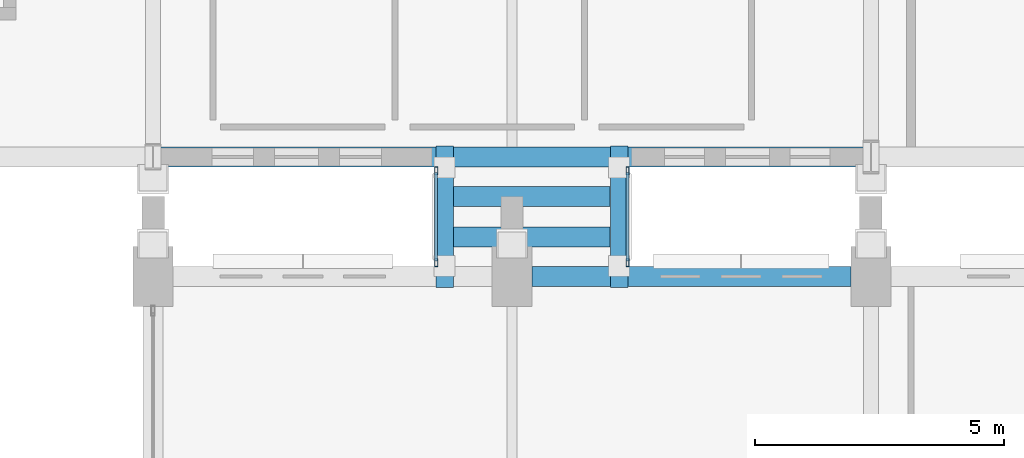
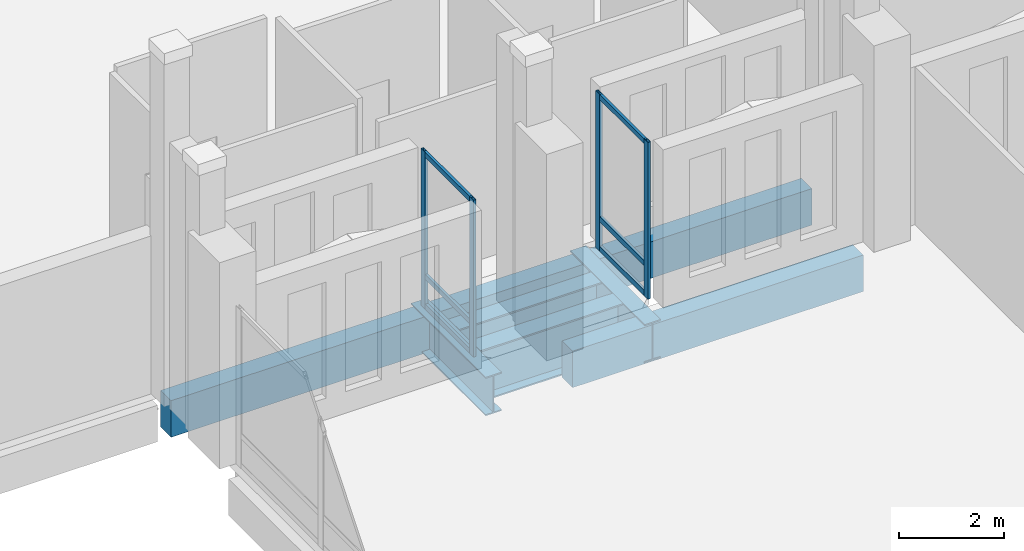
# One storey, part 87 of 193: 10 members, 6 beams, 2 elements without a shape of their own.
"""IFC4 building model written with IfcOpenShell, lengths in metres."""

from ifc_helpers import new_model, si_unit, direction, frame, origin, origin_2d, place, context, subcontext, project, spatial, rectangle, hollow_rectangle, i_section, extrude, material, material_profile, profile_set, type_object, element, aggregate, save


model = new_model("IFC4")

# Units and contexts
model_context = context("Model", 3, precision=1e-05, world=origin(), true_north=direction((0.0, 1.0)))
body_context = subcontext(model_context, "Body", "Model", "MODEL_VIEW")
ifc_project = project(units=[si_unit("LENGTHUNIT", "METRE"), si_unit("AREAUNIT", "SQUARE_METRE"), si_unit("VOLUMEUNIT", "CUBIC_METRE"), si_unit("PLANEANGLEUNIT", "RADIAN"), si_unit("MASSUNIT", "GRAM", prefix="KILO")], contexts=[model_context])

# Site, building, storey
site_placement = place(None, origin())
site = spatial("IfcSite", under=ifc_project, at=site_placement, CompositionType="ELEMENT")
building_placement = place(site_placement, origin())
building = spatial("IfcBuilding", under=site, at=building_placement, Name="Cendralis Lancet Convention Centre", CompositionType="ELEMENT")
storey_placement = place(building_placement, frame((0.0, 0.0, 10.199951171875)))
storey = spatial("IfcBuildingStorey", under=building, at=storey_placement, Name="L02", CompositionType="ELEMENT", Elevation=10.199951171875)

# Curtain wall, members
ifc_material_1 = material(Name="Anodised bronze architectural aluminium", Category="aluminium")
curtain_wall_type = type_object("IfcCurtainWallType", Name="ARC-CW-BR01", PredefinedType="USERDEFINED", material=ifc_material_1)
curtain_wall_1_placement = place(storey_placement, origin())
curtain_wall_1 = element("IfcCurtainWall", 1, at=curtain_wall_1_placement, inside=storey, type_object=curtain_wall_type, Name="L02 Curtain Wall CW-BR1 #199", ObjectType="CURTAIN WALL", PredefinedType="USERDEFINED")
ifc_material_profile_1 = material_profile(ifc_material_1, hollow_rectangle(XDim=0.06005859375, YDim=0.159912109375, WallThickness=0.00390625, at=origin_2d()), Name="AL-MULL 60x160x4.0")
ifc_profile_set_1 = profile_set([ifc_material_profile_1], Name="Anodised bronze architectural aluminium")
member_type_1 = type_object("IfcMemberType", Name="ARC-CW-ML01", PredefinedType="MULLION", material=ifc_profile_set_1)
member_1_placement = place(storey_placement, frame((144.8798828125, 91.47998046875, 0.0), z_axis=(0.0, 0.0, 1.0), x_axis=(1.0, 0.0, 0.0)))
member_1 = element("IfcMember", 2, at=member_1_placement, type_object=member_type_1, Name="Mullion CW2-CW-BR1-L02-199-M0", PredefinedType="MULLION", context=body_context, shape_type="SweptSolid", body=[
    extrude(hollow_rectangle(XDim=0.06005859375, YDim=0.159912109375, WallThickness=0.00390625, at=origin_2d()), origin(), (0.0, 0.0, 1.0), 3.650146484375),
])
member_2_placement = place(storey_placement, frame((144.8798828125, 93.320068359375, 0.0), z_axis=(0.0, 0.0, 1.0), x_axis=(1.0, 0.0, 0.0)))
member_2 = element("IfcMember", 3, at=member_2_placement, type_object=member_type_1, Name="Mullion CW2-CW-BR1-L02-199-M1", PredefinedType="MULLION", context=body_context, shape_type="SweptSolid", body=[
    extrude(hollow_rectangle(XDim=0.06005859375, YDim=0.159912109375, WallThickness=0.00390625, at=origin_2d()), origin(), (0.0, 0.0, 1.0), 3.650146484375),
])

curtain_wall_2_placement = place(storey_placement, origin())
curtain_wall_2 = element("IfcCurtainWall", 4, at=curtain_wall_2_placement, inside=storey, type_object=curtain_wall_type, Name="L02 Curtain Wall CW-BR1 #200", ObjectType="CURTAIN WALL", PredefinedType="USERDEFINED")
member_3_placement = place(storey_placement, frame((148.719970703125, 91.47998046875, 0.0), z_axis=(0.0, 0.0, 1.0), x_axis=(1.0, 0.0, 0.0)))
member_3 = element("IfcMember", 5, at=member_3_placement, type_object=member_type_1, Name="Mullion CW2-CW-BR1-L02-200-M0", PredefinedType="MULLION", context=body_context, shape_type="SweptSolid", body=[
    extrude(hollow_rectangle(XDim=0.06005859375, YDim=0.159912109375, WallThickness=0.00390625, at=origin_2d()), origin(), (0.0, 0.0, 1.0), 3.650146484375),
])
member_4_placement = place(storey_placement, frame((148.719970703125, 93.320068359375, 0.0), z_axis=(0.0, 0.0, 1.0), x_axis=(1.0, 0.0, 0.0)))
member_4 = element("IfcMember", 6, at=member_4_placement, type_object=member_type_1, Name="Mullion CW2-CW-BR1-L02-200-M1", PredefinedType="MULLION", context=body_context, shape_type="SweptSolid", body=[
    extrude(hollow_rectangle(XDim=0.06005859375, YDim=0.159912109375, WallThickness=0.00390625, at=origin_2d()), origin(), (0.0, 0.0, 1.0), 3.650146484375),
])

# Member
ifc_material_profile_2 = material_profile(ifc_material_1, hollow_rectangle(XDim=0.06005859375, YDim=0.1201171875, WallThickness=0.00390625, at=origin_2d()), Name="AL-TRAN 60x120x4.0")
ifc_profile_set_2 = profile_set([ifc_material_profile_2], Name="Anodised bronze architectural aluminium")
member_type_2 = type_object("IfcMemberType", Name="ARC-CW-TR01", PredefinedType="USERDEFINED", material=ifc_profile_set_2)
member_5_placement = place(storey_placement, frame((144.8798828125, 91.510009765625, 0.06005859375), z_axis=(0.0, 1.0, 0.0), x_axis=(-1.0, 0.0, 0.0)))
member_5 = element("IfcMember", 7, at=member_5_placement, type_object=member_type_2, Name="Transom CW2-CW-BR1-L02-199-T0BOT", ObjectType="TRANSOM", PredefinedType="USERDEFINED", context=body_context, shape_type="SweptSolid", body=[
    extrude(hollow_rectangle(XDim=0.06005859375, YDim=0.1201171875, WallThickness=0.00390625, at=origin_2d()), origin(), (0.0, 0.0, 1.0), 1.780029296875),
])

member_6_placement = place(storey_placement, frame((144.8798828125, 91.510009765625, 0.75), z_axis=(0.0, 1.0, 0.0), x_axis=(-1.0, 0.0, 0.0)))
member_6 = element("IfcMember", 8, at=member_6_placement, type_object=member_type_2, Name="Transom CW2-CW-BR1-L02-199-T0MID", ObjectType="TRANSOM", PredefinedType="USERDEFINED", context=body_context, shape_type="SweptSolid", body=[
    extrude(hollow_rectangle(XDim=0.06005859375, YDim=0.1201171875, WallThickness=0.00390625, at=origin_2d()), origin(), (0.0, 0.0, 1.0), 1.780029296875),
])

member_7_placement = place(storey_placement, frame((144.8798828125, 91.510009765625, 3.590087890625), z_axis=(0.0, 1.0, 0.0), x_axis=(-1.0, 0.0, 0.0)))
member_7 = element("IfcMember", 9, at=member_7_placement, type_object=member_type_2, Name="Transom CW2-CW-BR1-L02-199-T0TOP", ObjectType="TRANSOM", PredefinedType="USERDEFINED", context=body_context, shape_type="SweptSolid", body=[
    extrude(hollow_rectangle(XDim=0.06005859375, YDim=0.1201171875, WallThickness=0.00390625, at=origin_2d()), origin(), (0.0, 0.0, 1.0), 1.780029296875),
])

aggregate(curtain_wall_1, [member_1, member_2, member_5, member_6, member_7])

member_8_placement = place(storey_placement, frame((148.719970703125, 91.510009765625, 0.06005859375), z_axis=(0.0, 1.0, 0.0), x_axis=(-1.0, 0.0, 0.0)))
member_8 = element("IfcMember", 10, at=member_8_placement, type_object=member_type_2, Name="Transom CW2-CW-BR1-L02-200-T0BOT", ObjectType="TRANSOM", PredefinedType="USERDEFINED", context=body_context, shape_type="SweptSolid", body=[
    extrude(hollow_rectangle(XDim=0.06005859375, YDim=0.1201171875, WallThickness=0.00390625, at=origin_2d()), origin(), (0.0, 0.0, 1.0), 1.780029296875),
])

member_9_placement = place(storey_placement, frame((148.719970703125, 91.510009765625, 0.75), z_axis=(0.0, 1.0, 0.0), x_axis=(-1.0, 0.0, 0.0)))
member_9 = element("IfcMember", 11, at=member_9_placement, type_object=member_type_2, Name="Transom CW2-CW-BR1-L02-200-T0MID", ObjectType="TRANSOM", PredefinedType="USERDEFINED", context=body_context, shape_type="SweptSolid", body=[
    extrude(hollow_rectangle(XDim=0.06005859375, YDim=0.1201171875, WallThickness=0.00390625, at=origin_2d()), origin(), (0.0, 0.0, 1.0), 1.780029296875),
])

member_10_placement = place(storey_placement, frame((148.719970703125, 91.510009765625, 3.590087890625), z_axis=(0.0, 1.0, 0.0), x_axis=(-1.0, 0.0, 0.0)))
member_10 = element("IfcMember", 12, at=member_10_placement, type_object=member_type_2, Name="Transom CW2-CW-BR1-L02-200-T0TOP", ObjectType="TRANSOM", PredefinedType="USERDEFINED", context=body_context, shape_type="SweptSolid", body=[
    extrude(hollow_rectangle(XDim=0.06005859375, YDim=0.1201171875, WallThickness=0.00390625, at=origin_2d()), origin(), (0.0, 0.0, 1.0), 1.780029296875),
])

aggregate(curtain_wall_2, [member_3, member_4, member_8, member_9, member_10])

# Beams
ifc_material_2 = material(Name="Steel S355", Category="steel")
ifc_material_profile_3 = material_profile(ifc_material_2, i_section(OverallWidth=0.39990234375, OverallDepth=1.199951171875, WebThickness=0.01806640625, FlangeThickness=0.031982421875, at=origin_2d()), Name="PG 1200x400")
ifc_profile_set_3 = profile_set([ifc_material_profile_3], Name="Steel S355")
beam_type_1 = type_object("IfcBeamType", Name="STR-BM-SG03", PredefinedType="BEAM", material=ifc_profile_set_3)
for number, where, z_axis, x_axis, name in (
    (13, (145.22998046875, 91.991943359375, -0.820068359375), (1.0, 0.0, 0.0), (0.0, 1.0, 0.0), "L02 Beam SG03 #1894"),
    (14, (145.22998046875, 92.80810546875, -0.820068359375), (1.0, 0.0, 0.0), (0.0, 1.0, 0.0), "L02 Beam SG03 #1895"),
):
    element("IfcBeam", number, at=place(storey_placement, frame(where, z_axis=z_axis, x_axis=x_axis)), inside=storey, type_object=beam_type_1, Name=name, PredefinedType="BEAM", context=body_context, shape_type="SweptSolid", body=[
        extrude(i_section(OverallWidth=0.39990234375, OverallDepth=1.199951171875, WebThickness=0.01806640625, FlangeThickness=0.031982421875, at=origin_2d()), origin(), (0.0, 0.0, 1.0), 3.14013671875),
    ])
ifc_material_profile_4 = material_profile(ifc_material_2, i_section(OverallWidth=0.35009765625, OverallDepth=0.89990234375, WebThickness=0.01611328125, FlangeThickness=0.028076171875, at=origin_2d()), Name="PG 900x350")
ifc_profile_set_4 = profile_set([ifc_material_profile_4], Name="Steel S355")
beam_type_2 = type_object("IfcBeamType", Name="STR-BM-SG05", PredefinedType="BEAM", material=ifc_profile_set_4)
for number, where, z_axis, x_axis, name in (
    (15, (145.050048828125, 90.97998046875, -0.669921875), (0.0, 1.0, 0.0), (-1.0, 0.0, 0.0), "L02 Beam SG05 #1892"),
    (16, (148.550048828125, 90.97998046875, -0.669921875), (0.0, 1.0, 0.0), (-1.0, 0.0, 0.0), "L02 Beam SG05 #1893"),
):
    element("IfcBeam", number, at=place(storey_placement, frame(where, z_axis=z_axis, x_axis=x_axis)), inside=storey, type_object=beam_type_2, Name=name, PredefinedType="BEAM", context=body_context, shape_type="SweptSolid", body=[
        extrude(i_section(OverallWidth=0.35009765625, OverallDepth=0.89990234375, WebThickness=0.01611328125, FlangeThickness=0.028076171875, at=origin_2d()), origin(), (0.0, 0.0, 1.0), 2.840087890625),
    ])
ifc_material_3 = material(Name="Concrete G40 (C40/50)", Category="concrete")
ifc_material_profile_5 = material_profile(ifc_material_3, rectangle(XDim=0.39990234375, YDim=0.85009765625, at=origin_2d()), Name="RCB 400x850")
ifc_profile_set_5 = profile_set([ifc_material_profile_5], Name="Concrete G40 (C40/50)")
beam_type_3 = type_object("IfcBeamType", Name="STR-SP-SP02", PredefinedType="SPANDREL", material=ifc_profile_set_5)
beam_1_placement = place(storey_placement, frame((146.800048828125, 91.199951171875, -0.724853515625), z_axis=(1.0, 0.0, 0.0), x_axis=(0.0, 1.0, 0.0)))
element("IfcBeam", 17, at=beam_1_placement, inside=storey, type_object=beam_type_3, Name="L02 Beam SP02 #1459", PredefinedType="SPANDREL", context=body_context, shape_type="SweptSolid", body=[
    extrude(rectangle(XDim=0.39990234375, YDim=0.85009765625, at=origin_2d()), origin(), (0.0, 0.0, 1.0), 6.39990234375),
])
beam_2_placement = place(storey_placement, frame((139.35009765625, 93.60009765625, -0.724853515625), z_axis=(1.0, 0.0, 0.0), x_axis=(0.0, 1.0, 0.0)))
element("IfcBeam", 18, at=beam_2_placement, inside=storey, type_object=beam_type_3, Name="L02 Beam SP02 #1698", PredefinedType="SPANDREL", context=body_context, shape_type="SweptSolid", body=[
    extrude(rectangle(XDim=0.39990234375, YDim=0.85009765625, at=origin_2d()), origin(), (0.0, 0.0, 1.0), 14.099853515625),
])

save(model, "model.ifc")
